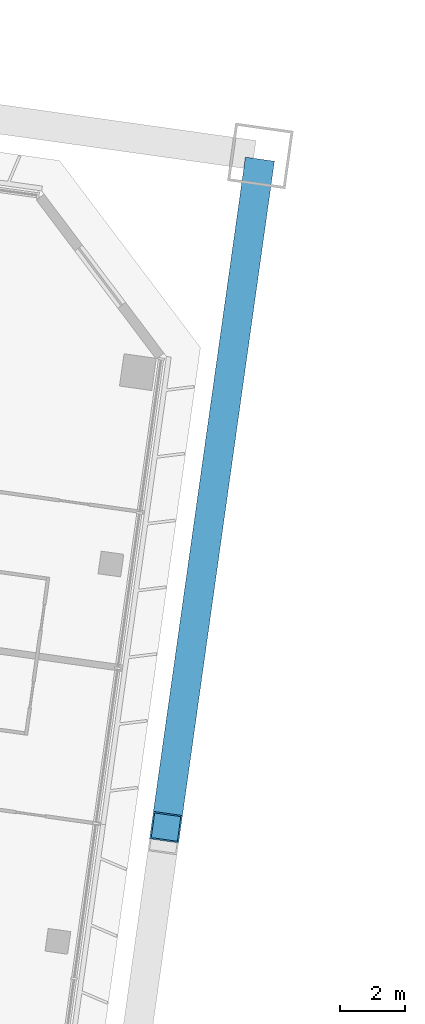
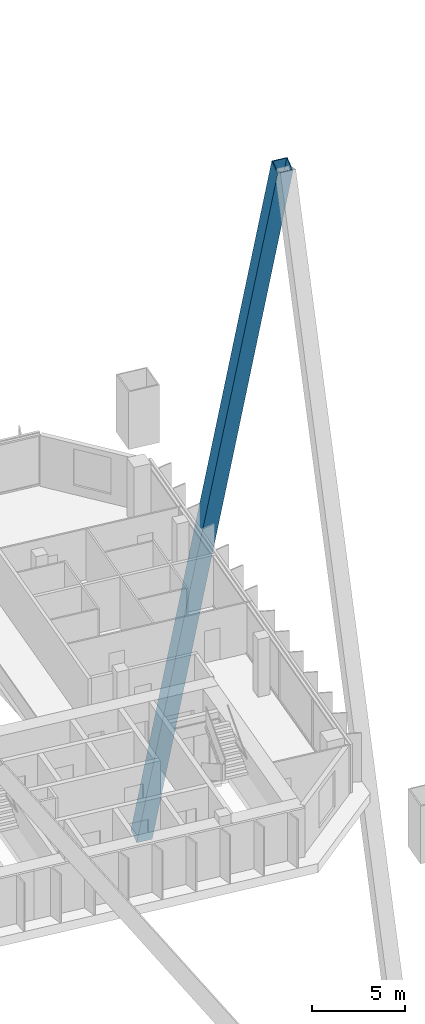
# One storey, part 17 of 49: 1 member.
"""IFC4 building model written with IfcOpenShell, lengths in metres."""

from ifc_helpers import new_model, si_unit, direction, frame, origin, origin_2d, place, context, subcontext, project, spatial, hollow_rectangle, extrude, material, material_profile, profile_set, type_object, element, save


model = new_model("IFC4")

# Units and contexts
model_context = context("Model", 3, precision=1e-05, world=origin(), true_north=direction((0.0, 1.0)))
body_context = subcontext(model_context, "Body", "Model", "MODEL_VIEW")
ifc_project = project(units=[si_unit("LENGTHUNIT", "METRE"), si_unit("AREAUNIT", "SQUARE_METRE"), si_unit("VOLUMEUNIT", "CUBIC_METRE"), si_unit("PLANEANGLEUNIT", "RADIAN"), si_unit("MASSUNIT", "GRAM", prefix="KILO")], contexts=[model_context])

# Site, building, storey
site_placement = place(None, origin())
site = spatial("IfcSite", under=ifc_project, at=site_placement, CompositionType="ELEMENT")
building_placement = place(site_placement, origin())
building = spatial("IfcBuilding", under=site, at=building_placement, Name="Mirante Cascada Hotel Towers", CompositionType="ELEMENT")
storey_placement = place(building_placement, frame((0.0, 0.0, 66.1)))
storey = spatial("IfcBuildingStorey", under=building, at=storey_placement, Name="L13", CompositionType="ELEMENT", Elevation=66.1)

# Member
ifc_material = material(Name="Steel ASTM A572 Gr 50", Category="steel")
ifc_material_profile = material_profile(ifc_material, hollow_rectangle(XDim=0.9, YDim=0.9, WallThickness=0.045, at=origin_2d()), Name="Box brace 900x900x45 ASTM A572 Gr 50")
ifc_profile_set = profile_set([ifc_material_profile], Name="Steel ASTM A572 Gr 50")
member_type = type_object("IfcMemberType", Name="Box brace 900x900x45 ASTM A572 Gr 50", PredefinedType="BRACE", material=ifc_profile_set)
member_placement = place(storey_placement, frame((-25.17, 17.9965, -25.815), z_axis=(-0.0465147, -0.3309684, 0.9424947), x_axis=(0.990268, -0.1391736, 0.0)))
element("IfcMember", 1, at=member_placement, inside=storey, type_object=member_type, Name="brace T1 L13 6", PredefinedType="BRACE", context=body_context, shape_type="SweptSolid", body=[
    extrude(hollow_rectangle(XDim=0.9, YDim=0.9, WallThickness=0.045, at=origin_2d()), origin(), (0.0, 0.0, 1.0), 60.7055),
])

save(model, "model.ifc")
